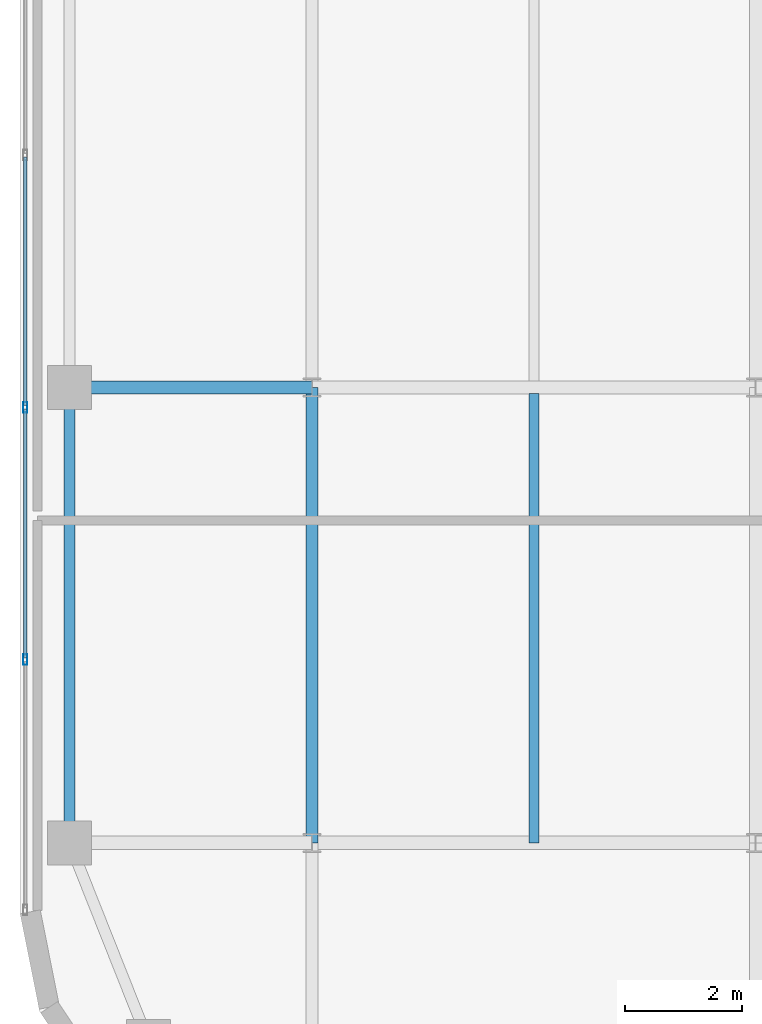
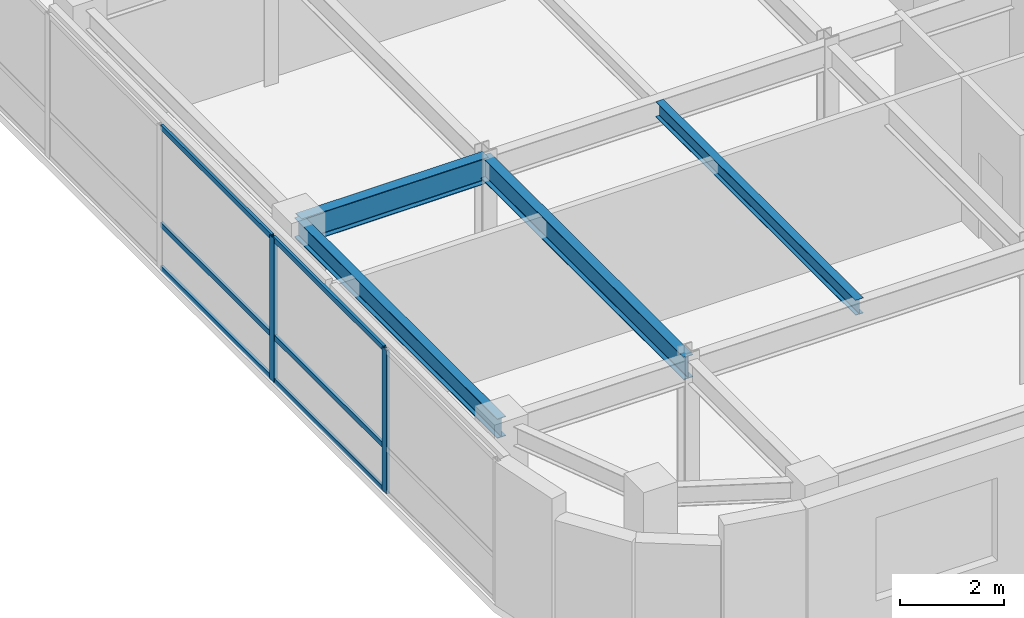
# One storey, part 5 of 19: 8 members, 4 beams, 1 element without a shape of its own.
"""IFC4 building model written with IfcOpenShell, lengths in metres."""

from ifc_helpers import new_model, si_unit, direction, frame, origin, origin_2d, place, context, subcontext, project, spatial, hollow_rectangle, i_section, extrude, source, transform, mapped, material, layer, layer_set, material_profile, profile_set, type_object, type_shapes, element, aggregate, save


model = new_model("IFC4")

# Units and contexts
model_context = context("Model", 3, precision=1e-05, world=origin(), true_north=direction((0.0, 1.0)))
body_context = subcontext(model_context, "Body", "Model", "MODEL_VIEW")
ifc_project = project(units=[si_unit("LENGTHUNIT", "METRE"), si_unit("AREAUNIT", "SQUARE_METRE"), si_unit("VOLUMEUNIT", "CUBIC_METRE"), si_unit("PLANEANGLEUNIT", "RADIAN"), si_unit("MASSUNIT", "GRAM", prefix="KILO")], contexts=[model_context])

# Site, building, storey
site_placement = place(None, origin())
site = spatial("IfcSite", under=ifc_project, at=site_placement, CompositionType="ELEMENT")
building_placement = place(site_placement, origin())
building = spatial("IfcBuilding", under=site, at=building_placement, Name="Tolvann Quenvar Hotel", CompositionType="ELEMENT")
storey_placement = place(building_placement, frame((0.0, 0.0, 223.89990234375)))
storey = spatial("IfcBuildingStorey", under=building, at=storey_placement, Name="L59", CompositionType="ELEMENT", Elevation=223.89990234375)

# Beams
ifc_material_1 = material(Name="Steel Grade 350", Category="steel")
ifc_material_profile_1 = material_profile(ifc_material_1, i_section(OverallWidth=0.208984375, OverallDepth=0.532958984375, WebThickness=0.01025390625, FlangeThickness=0.015625, FilletRadius=0.013916015625, at=origin_2d()), Name="530UB92")
ifc_profile_set_1 = profile_set([ifc_material_profile_1], Name="Steel Grade 350")
beam_type_1 = type_object("IfcBeamType", Name="BM_GIRD_530UB92", PredefinedType="BEAM", material=ifc_profile_set_1)
shared_shape_1 = source(origin(), body_context, "Body", "SweptSolid", [
    extrude(i_section(OverallWidth=0.208984375, OverallDepth=0.532958984375, WebThickness=0.01025390625, FlangeThickness=0.015625, FilletRadius=0.013916015625, at=origin_2d()), origin(), (0.0, 0.0, 1.0), 7.800048828125),
])
type_shapes(beam_type_1, [shared_shape_1])
beam_1_placement = place(storey_placement, frame((7.60009765625, 8.199951171875, 3.103515625), z_axis=(0.0, 1.0, 0.0), x_axis=(-1.0, 0.0, 0.0)))
element("IfcBeam", 1, at=beam_1_placement, inside=storey, type_object=beam_type_1, Name="BM-L59-NS-C3-C4", PredefinedType="BEAM", context=body_context, shape_type="MappedRepresentation", body=[
    mapped(shared_shape_1, transform((0.0, 0.0, 0.0), x_axis=(1.0, 0.0, 0.0), y_axis=(0.0, 1.0, 0.0), z_axis=(0.0, 0.0, 1.0), scale=1.0)),
])
ifc_material_profile_2 = material_profile(ifc_material_1, i_section(OverallWidth=0.22802734375, OverallDepth=0.60205078125, WebThickness=0.010498046875, FlangeThickness=0.014892578125, FilletRadius=0.013916015625, at=origin_2d()), Name="610UB101")
ifc_profile_set_2 = profile_set([ifc_material_profile_2], Name="Steel Grade 350")
beam_type_2 = type_object("IfcBeamType", Name="BM_GIRD_610UB101", PredefinedType="BEAM", material=ifc_profile_set_2)
shared_shape_2 = source(origin(), body_context, "Body", "SweptSolid", [
    extrude(i_section(OverallWidth=0.22802734375, OverallDepth=0.60205078125, WebThickness=0.010498046875, FlangeThickness=0.014892578125, FilletRadius=0.013916015625, at=origin_2d()), origin(), (0.0, 0.0, 1.0), 4.150146484375),
])
type_shapes(beam_type_2, [shared_shape_2])
beam_2_placement = place(storey_placement, frame((3.449951171875, 16.0, 3.069091796875), z_axis=(1.0, 0.0, 0.0), x_axis=(0.0, 1.0, 0.0)))
element("IfcBeam", 2, at=beam_2_placement, inside=storey, type_object=beam_type_2, Name="BM-L59-EW-4-B4-C4", PredefinedType="BEAM", context=body_context, shape_type="MappedRepresentation", body=[
    mapped(shared_shape_2, transform((0.0, 0.0, 0.0), x_axis=(1.0, 0.0, 0.0), y_axis=(0.0, 1.0, 0.0), z_axis=(0.0, 0.0, 1.0), scale=1.0)),
])
ifc_material_profile_3 = material_profile(ifc_material_1, i_section(OverallWidth=0.172119140625, OverallDepth=0.35888671875, WebThickness=0.008056640625, FlangeThickness=0.012939453125, FilletRadius=0.011474609375, at=origin_2d()), Name="360UB57")
ifc_profile_set_3 = profile_set([ifc_material_profile_3], Name="Steel Grade 350")
beam_type_3 = type_object("IfcBeamType", Name="BM_JOIST_360UB57", PredefinedType="JOIST", material=ifc_profile_set_3)
shared_shape_3 = source(origin(), body_context, "Body", "SweptSolid", [
    extrude(i_section(OverallWidth=0.172119140625, OverallDepth=0.35888671875, WebThickness=0.008056640625, FlangeThickness=0.012939453125, FilletRadius=0.011474609375, at=origin_2d()), origin(), (0.0, 0.0, 1.0), 7.692138671875),
])
type_shapes(beam_type_3, [shared_shape_3])
beam_3_placement = place(storey_placement, frame((11.39990234375, 8.199951171875, 3.190673828125), z_axis=(0.0, 1.0, 0.0), x_axis=(-1.0, 0.0, 0.0)))
element("IfcBeam", 3, at=beam_3_placement, inside=storey, type_object=beam_type_3, Name="BJ-L59-114-82", PredefinedType="JOIST", context=body_context, shape_type="MappedRepresentation", body=[
    mapped(shared_shape_3, transform((0.0, 0.0, 0.0), x_axis=(1.0, 0.0, 0.0), y_axis=(0.0, 1.0, 0.0), z_axis=(0.0, 0.0, 1.0), scale=1.0)),
])
ifc_material_profile_4 = material_profile(ifc_material_1, i_section(OverallWidth=0.19091796875, OverallDepth=0.4599609375, WebThickness=0.010009765625, FlangeThickness=0.01611328125, FilletRadius=0.011474609375, at=origin_2d()), Name="460UB82")
ifc_profile_set_4 = profile_set([ifc_material_profile_4], Name="Steel Grade 350")
beam_type_4 = type_object("IfcBeamType", Name="BM_SPAND_460UB82", PredefinedType="SPANDREL", material=ifc_profile_set_4)
shared_shape_4 = source(origin(), body_context, "Body", "SweptSolid", [
    extrude(i_section(OverallWidth=0.19091796875, OverallDepth=0.4599609375, WebThickness=0.010009765625, FlangeThickness=0.01611328125, FilletRadius=0.011474609375, at=origin_2d()), origin(), (0.0, 0.0, 1.0), 7.800048828125),
])
type_shapes(beam_type_4, [shared_shape_4])
beam_4_placement = place(storey_placement, frame((3.449951171875, 8.199951171875, 3.14013671875), z_axis=(0.0, 1.0, 0.0), x_axis=(-1.0, 0.0, 0.0)))
element("IfcBeam", 4, at=beam_4_placement, inside=storey, type_object=beam_type_4, Name="BM-L59-NS-B3-B4", PredefinedType="SPANDREL", context=body_context, shape_type="MappedRepresentation", body=[
    mapped(shared_shape_4, transform((0.0, 0.0, 0.0), x_axis=(1.0, 0.0, 0.0), y_axis=(0.0, 1.0, 0.0), z_axis=(0.0, 0.0, 1.0), scale=1.0)),
])

# Curtain wall, members
ifc_material_2 = material(Name="Thermally broken anodised architectural aluminium 6063-T6 and laminated low-E glass", Category="aluminium")
ifc_layer = layer(ifc_material_2, 0.179931640625)
ifc_layer_set = layer_set([ifc_layer], Name="Thermally broken anodised architectural aluminium 6063-T6 and laminated low-E glass")
curtain_wall_type = type_object("IfcCurtainWallType", Name="CW_SYS_BAND_04", PredefinedType="USERDEFINED", material=ifc_layer_set)
curtain_wall_placement = place(storey_placement, origin())
curtain_wall = element("IfcCurtainWall", 5, at=curtain_wall_placement, inside=storey, type_object=curtain_wall_type, Name="Curtain Wall CW-BAND-04 (CWR-L59-E19)", ObjectType="UNITISED CURTAIN WALL", PredefinedType="USERDEFINED")
ifc_material_3 = material(Name="Anodised architectural aluminium 6063-T6 framing", Category="aluminium")
ifc_material_profile_5 = material_profile(ifc_material_3, hollow_rectangle(XDim=0.070068359375, YDim=0.179931640625, WallThickness=0.00390625, at=origin_2d()), Name="180x70x4RHS")
ifc_profile_set_5 = profile_set([ifc_material_profile_5], Name="Anodised architectural aluminium 6063-T6 framing")
member_type_1 = type_object("IfcMemberType", Name="CW_MULL_180x70", PredefinedType="MULLION", material=ifc_profile_set_5)
shared_shape_5 = source(origin(), body_context, "Body", "SweptSolid", [
    extrude(hollow_rectangle(XDim=0.070068359375, YDim=0.179931640625, WallThickness=0.00390625, at=origin_2d()), origin(), (0.0, 0.0, 1.0), 3.3701171875),
])
type_shapes(member_type_1, [shared_shape_5])
member_1_placement = place(storey_placement, frame((2.68994140625, 15.65869140625, 0.0), z_axis=(0.0, 0.0, 1.0), x_axis=(1.0, 0.0, 0.0)))
member_1 = element("IfcMember", 6, at=member_1_placement, type_object=member_type_1, Name="CW-BAND-04 mullion 7", PredefinedType="MULLION", context=body_context, shape_type="MappedRepresentation", body=[
    mapped(shared_shape_5, transform((0.0, 0.0, 0.0), x_axis=(1.0, 0.0, 0.0), y_axis=(0.0, 1.0, 0.0), z_axis=(0.0, 0.0, 1.0), scale=1.0)),
])
member_2_placement = place(storey_placement, frame((2.68994140625, 11.337890625, 0.0), z_axis=(0.0, 0.0, 1.0), x_axis=(1.0, 0.0, 0.0)))
member_2 = element("IfcMember", 7, at=member_2_placement, type_object=member_type_1, Name="CW-BAND-04 mullion 8", PredefinedType="MULLION", context=body_context, shape_type="MappedRepresentation", body=[
    mapped(shared_shape_5, transform((0.0, 0.0, 0.0), x_axis=(1.0, 0.0, 0.0), y_axis=(0.0, 1.0, 0.0), z_axis=(0.0, 0.0, 1.0), scale=1.0)),
])
ifc_material_profile_6 = material_profile(ifc_material_3, hollow_rectangle(XDim=0.06005859375, YDim=0.1201171875, WallThickness=0.00341796875, at=origin_2d()), Name="120x60x3.5RHS")
ifc_profile_set_6 = profile_set([ifc_material_profile_6], Name="Anodised architectural aluminium 6063-T6 framing")
member_type_2 = type_object("IfcMemberType", Name="CW_TRAN_120x60", PredefinedType="USERDEFINED", material=ifc_profile_set_6)
shared_shape_6 = source(origin(), body_context, "Body", "SweptSolid", [
    extrude(hollow_rectangle(XDim=0.06005859375, YDim=0.1201171875, WallThickness=0.00341796875, at=origin_2d()), origin(), (0.0, 0.0, 1.0), 4.250732421875),
])
type_shapes(member_type_2, [shared_shape_6])
member_3_placement = place(storey_placement, frame((2.68994140625, 19.9443359375, 0.030029296875), z_axis=(0.0, -1.0, 0.0), x_axis=(1.0, 0.0, 0.0)))
member_3 = element("IfcMember", 8, at=member_3_placement, type_object=member_type_2, Name="CW-BAND-04 transom 6.1", ObjectType="TRANSOM", PredefinedType="USERDEFINED", context=body_context, shape_type="MappedRepresentation", body=[
    mapped(shared_shape_6, transform((0.0, 0.0, 0.0), x_axis=(1.0, 0.0, 0.0), y_axis=(0.0, 1.0, 0.0), z_axis=(0.0, 0.0, 1.0), scale=1.0)),
])
member_4_placement = place(storey_placement, frame((2.68994140625, 19.9443359375, 1.050048828125), z_axis=(0.0, -1.0, 0.0), x_axis=(1.0, 0.0, 0.0)))
member_4 = element("IfcMember", 9, at=member_4_placement, type_object=member_type_2, Name="CW-BAND-04 transom 6.2", ObjectType="TRANSOM", PredefinedType="USERDEFINED", context=body_context, shape_type="MappedRepresentation", body=[
    mapped(shared_shape_6, transform((0.0, 0.0, 0.0), x_axis=(1.0, 0.0, 0.0), y_axis=(0.0, 1.0, 0.0), z_axis=(0.0, 0.0, 1.0), scale=1.0)),
])
member_5_placement = place(storey_placement, frame((2.68994140625, 19.9443359375, 3.340087890625), z_axis=(0.0, -1.0, 0.0), x_axis=(1.0, 0.0, 0.0)))
member_5 = element("IfcMember", 10, at=member_5_placement, type_object=member_type_2, Name="CW-BAND-04 transom 6.3", ObjectType="TRANSOM", PredefinedType="USERDEFINED", context=body_context, shape_type="MappedRepresentation", body=[
    mapped(shared_shape_6, transform((0.0, 0.0, 0.0), x_axis=(1.0, 0.0, 0.0), y_axis=(0.0, 1.0, 0.0), z_axis=(0.0, 0.0, 1.0), scale=1.0)),
])
member_6_placement = place(storey_placement, frame((2.68994140625, 15.62353515625, 0.030029296875), z_axis=(0.0, -1.0, 0.0), x_axis=(1.0, 0.0, 0.0)))
member_6 = element("IfcMember", 11, at=member_6_placement, type_object=member_type_2, Name="CW-BAND-04 transom 7.1", ObjectType="TRANSOM", PredefinedType="USERDEFINED", context=body_context, shape_type="MappedRepresentation", body=[
    mapped(shared_shape_6, transform((0.0, 0.0, 0.0), x_axis=(1.0, 0.0, 0.0), y_axis=(0.0, 1.0, 0.0), z_axis=(0.0, 0.0, 1.0), scale=1.0)),
])
member_7_placement = place(storey_placement, frame((2.68994140625, 15.62353515625, 1.050048828125), z_axis=(0.0, -1.0, 0.0), x_axis=(1.0, 0.0, 0.0)))
member_7 = element("IfcMember", 12, at=member_7_placement, type_object=member_type_2, Name="CW-BAND-04 transom 7.2", ObjectType="TRANSOM", PredefinedType="USERDEFINED", context=body_context, shape_type="MappedRepresentation", body=[
    mapped(shared_shape_6, transform((0.0, 0.0, 0.0), x_axis=(1.0, 0.0, 0.0), y_axis=(0.0, 1.0, 0.0), z_axis=(0.0, 0.0, 1.0), scale=1.0)),
])
member_8_placement = place(storey_placement, frame((2.68994140625, 15.62353515625, 3.340087890625), z_axis=(0.0, -1.0, 0.0), x_axis=(1.0, 0.0, 0.0)))
member_8 = element("IfcMember", 13, at=member_8_placement, type_object=member_type_2, Name="CW-BAND-04 transom 7.3", ObjectType="TRANSOM", PredefinedType="USERDEFINED", context=body_context, shape_type="MappedRepresentation", body=[
    mapped(shared_shape_6, transform((0.0, 0.0, 0.0), x_axis=(1.0, 0.0, 0.0), y_axis=(0.0, 1.0, 0.0), z_axis=(0.0, 0.0, 1.0), scale=1.0)),
])
aggregate(curtain_wall, [member_1, member_2, member_3, member_4, member_5, member_6, member_7, member_8])

save(model, "model.ifc")
